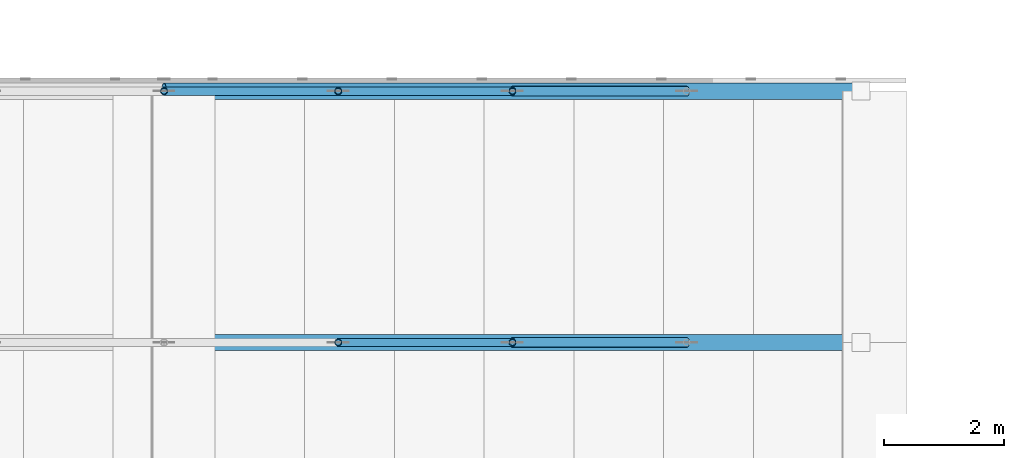
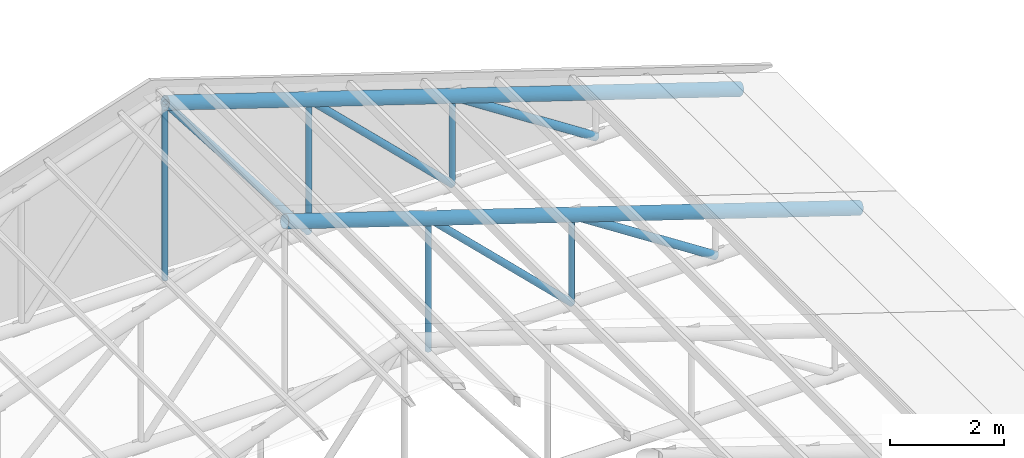
# One storey, part 55 of 95: 12 members.
"""IFC4 building model written with IfcOpenShell, lengths in metres."""

from ifc_helpers import new_model, si_unit, direction, frame, origin, origin_2d, place, context, subcontext, project, spatial, hollow_circle, extrude, material, material_profile, profile_set, type_object, element, save


model = new_model("IFC4")

# Units and contexts
model_context = context("Model", 3, precision=1e-05, world=origin(), true_north=direction((0.0, 1.0)))
body_context = subcontext(model_context, "Body", "Model", "MODEL_VIEW")
ifc_project = project(units=[si_unit("LENGTHUNIT", "METRE"), si_unit("AREAUNIT", "SQUARE_METRE"), si_unit("VOLUMEUNIT", "CUBIC_METRE"), si_unit("PLANEANGLEUNIT", "RADIAN"), si_unit("MASSUNIT", "GRAM", prefix="KILO")], contexts=[model_context])

# Site, building, storey
site_placement = place(None, origin())
site = spatial("IfcSite", under=ifc_project, at=site_placement, CompositionType="ELEMENT")
building_placement = place(site_placement, origin())
building = spatial("IfcBuilding", under=site, at=building_placement, Name="Kiln Court Media Centre", CompositionType="ELEMENT")
storey_placement = place(building_placement, frame((0.0, 0.0, 24.60009765625)))
storey = spatial("IfcBuildingStorey", under=building, at=storey_placement, Name="L05", CompositionType="ELEMENT", Elevation=24.60009765625)

# Members
ifc_material_1 = material(Name="Steel ASTM A500 Gr C", Category="steel")
ifc_material_profile_1 = material_profile(ifc_material_1, hollow_circle(Radius=0.05712890625, WallThickness=0.0048828125, at=origin_2d()), Name="CHS 114.3x5.0")
ifc_profile_set_1 = profile_set([ifc_material_profile_1], Name="Steel ASTM A500 Gr C")
member_type_1 = type_object("IfcMemberType", Name="Steel ASTM A500 Gr C CHS 114.3x5.0 truss web", PredefinedType="BRACE", material=ifc_profile_set_1)
member_1_placement = place(storey_placement, frame((49.3125, 63.0, -0.013916015625), z_axis=(0.0, 0.0, 1.0), x_axis=(1.0, 0.0, 0.0)))
element("IfcMember", 1, at=member_1_placement, inside=storey, type_object=member_type_1, Name="foyer truss FT-10 post 5 truss web", PredefinedType="BRACE", context=body_context, shape_type="SweptSolid", body=[
    extrude(hollow_circle(Radius=0.05712890625, WallThickness=0.0048828125, at=origin_2d()), origin(), (0.0, 0.0, 1.0), 2.839111328125),
])
member_2_placement = place(storey_placement, frame((52.22509765625, 63.0, -0.013916015625), z_axis=(0.0, 0.0, 1.0), x_axis=(1.0, 0.0, 0.0)))
element("IfcMember", 2, at=member_2_placement, inside=storey, type_object=member_type_1, Name="foyer truss FT-10 post 6 truss web", PredefinedType="BRACE", context=body_context, shape_type="SweptSolid", body=[
    extrude(hollow_circle(Radius=0.05712890625, WallThickness=0.0048828125, at=origin_2d()), origin(), (0.0, 0.0, 1.0), 1.892822265625),
])
member_3_placement = place(storey_placement, frame((46.39990234375, 67.199951171875, -0.013916015625), z_axis=(0.0, 0.0, 1.0), x_axis=(1.0, 0.0, 0.0)))
element("IfcMember", 3, at=member_3_placement, inside=storey, type_object=member_type_1, Name="foyer truss FT-11 post 4 truss web", PredefinedType="BRACE", context=body_context, shape_type="SweptSolid", body=[
    extrude(hollow_circle(Radius=0.05712890625, WallThickness=0.0048828125, at=origin_2d()), origin(), (0.0, 0.0, 1.0), 3.785400390625),
])
member_4_placement = place(storey_placement, frame((49.3125, 67.199951171875, -0.013916015625), z_axis=(0.0, 0.0, 1.0), x_axis=(1.0, 0.0, 0.0)))
element("IfcMember", 4, at=member_4_placement, inside=storey, type_object=member_type_1, Name="foyer truss FT-11 post 5 truss web", PredefinedType="BRACE", context=body_context, shape_type="SweptSolid", body=[
    extrude(hollow_circle(Radius=0.05712890625, WallThickness=0.0048828125, at=origin_2d()), origin(), (0.0, 0.0, 1.0), 2.839111328125),
])
member_5_placement = place(storey_placement, frame((52.22509765625, 67.199951171875, -0.013916015625), z_axis=(0.0, 0.0, 1.0), x_axis=(1.0, 0.0, 0.0)))
element("IfcMember", 5, at=member_5_placement, inside=storey, type_object=member_type_1, Name="foyer truss FT-11 post 6 truss web", PredefinedType="BRACE", context=body_context, shape_type="SweptSolid", body=[
    extrude(hollow_circle(Radius=0.05712890625, WallThickness=0.0048828125, at=origin_2d()), origin(), (0.0, 0.0, 1.0), 1.892822265625),
])
ifc_material_2 = material(Name="Steel ASTM A500 Gr C", Category="steel")
ifc_material_profile_2 = material_profile(ifc_material_2, hollow_circle(Radius=0.06982421875, WallThickness=0.0048828125, at=origin_2d()), Name="CHS 139.7x5.0")
ifc_profile_set_2 = profile_set([ifc_material_profile_2], Name="Steel ASTM A500 Gr C")
member_type_2 = type_object("IfcMemberType", Name="Steel ASTM A500 Gr C CHS 139.7x5.0 truss web", PredefinedType="BRACE", material=ifc_profile_set_2)
member_6_placement = place(storey_placement, frame((49.3125, 63.0, 2.8251953125), z_axis=(0.716082640751, 0.0, -0.69801550958), x_axis=(0.0, 1.0, 0.0)))
element("IfcMember", 6, at=member_6_placement, inside=storey, type_object=member_type_2, Name="foyer truss FT-10 diagonal 6 truss web", PredefinedType="BRACE", context=body_context, shape_type="SweptSolid", body=[
    extrude(hollow_circle(Radius=0.06982421875, WallThickness=0.0048828125, at=origin_2d()), origin(), (0.0, 0.0, 1.0), 4.0673828125),
])
member_7_placement = place(storey_placement, frame((46.39990234375, 67.199951171875, 3.771484375), z_axis=(0.609809567012, 0.0, -0.792547974561), x_axis=(0.0, 1.0, 0.0)))
element("IfcMember", 7, at=member_7_placement, inside=storey, type_object=member_type_2, Name="foyer truss FT-11 diagonal 5 truss web", PredefinedType="BRACE", context=body_context, shape_type="SweptSolid", body=[
    extrude(hollow_circle(Radius=0.06982421875, WallThickness=0.0048828125, at=origin_2d()), origin(), (0.0, 0.0, 1.0), 4.776123046875),
])
member_8_placement = place(storey_placement, frame((49.3125, 67.199951171875, 2.8251953125), z_axis=(0.716082640751, 0.0, -0.69801550958), x_axis=(0.0, 1.0, 0.0)))
element("IfcMember", 8, at=member_8_placement, inside=storey, type_object=member_type_2, Name="foyer truss FT-11 diagonal 6 truss web", PredefinedType="BRACE", context=body_context, shape_type="SweptSolid", body=[
    extrude(hollow_circle(Radius=0.06982421875, WallThickness=0.0048828125, at=origin_2d()), origin(), (0.0, 0.0, 1.0), 4.0673828125),
])
ifc_material_3 = material(Name="Steel ASTM A500 Gr C", Category="steel")
ifc_material_profile_3 = material_profile(ifc_material_3, hollow_circle(Radius=0.084228515625, WallThickness=0.00634765625, at=origin_2d()), Name="CHS 168.3x6.3")
ifc_profile_set_3 = profile_set([ifc_material_profile_3], Name="Steel ASTM A500 Gr C")
member_type_3 = type_object("IfcMemberType", Name="Steel ASTM A500 Gr C CHS 168.3x6.3 truss web", PredefinedType="BRACE", material=ifc_profile_set_3)
for number, where, z_axis, x_axis, name in (
    (9, (52.22509765625, 63.0, 1.87890625), (0.838470915332, 0.0, -0.544946349784), (0.0, 1.0, 0.0), "foyer truss FT-10 diagonal 7 truss web"),
    (10, (52.22509765625, 67.199951171875, 1.87890625), (0.838470915332, 0.0, -0.544946349784), (0.0, 1.0, 0.0), "foyer truss FT-11 diagonal 7 truss web"),
):
    element("IfcMember", number, at=place(storey_placement, frame(where, z_axis=z_axis, x_axis=x_axis)), inside=storey, type_object=member_type_3, Name=name, PredefinedType="BRACE", context=body_context, shape_type="SweptSolid", body=[
        extrude(hollow_circle(Radius=0.084228515625, WallThickness=0.00634765625, at=origin_2d()), origin(), (0.0, 0.0, 1.0), 3.473388671875),
    ])
ifc_material_4 = material(Name="Steel ASTM A500 Gr C", Category="steel")
ifc_material_profile_4 = material_profile(ifc_material_4, hollow_circle(Radius=0.136474609375, WallThickness=0.010009765625, at=origin_2d()), Name="CHS 273.0x10.0")
ifc_profile_set_4 = profile_set([ifc_material_profile_4], Name="Steel ASTM A500 Gr C")
member_type_4 = type_object("IfcMemberType", Name="Steel ASTM A500 Gr C CHS 273.0x10.0 truss chord", PredefinedType="CHORD", material=ifc_profile_set_4)
for number, where, z_axis, x_axis, name in (
    (11, (46.39990234375, 63.0, 3.771484375), (0.951055596592, 0.0, -0.309019824916), (0.0, 1.0, 0.0), "foyer truss FT-10 east rafter truss chord"),
    (12, (46.39990234375, 67.199951171875, 3.771484375), (0.951055596592, 0.0, -0.309019824916), (0.0, 1.0, 0.0), "foyer truss FT-11 east rafter truss chord"),
):
    element("IfcMember", number, at=place(storey_placement, frame(where, z_axis=z_axis, x_axis=x_axis)), inside=storey, type_object=member_type_4, Name=name, PredefinedType="CHORD", context=body_context, shape_type="SweptSolid", body=[
        extrude(hollow_circle(Radius=0.136474609375, WallThickness=0.010009765625, at=origin_2d()), origin(), (0.0, 0.0, 1.0), 12.249755859375),
    ])

save(model, "model.ifc")
